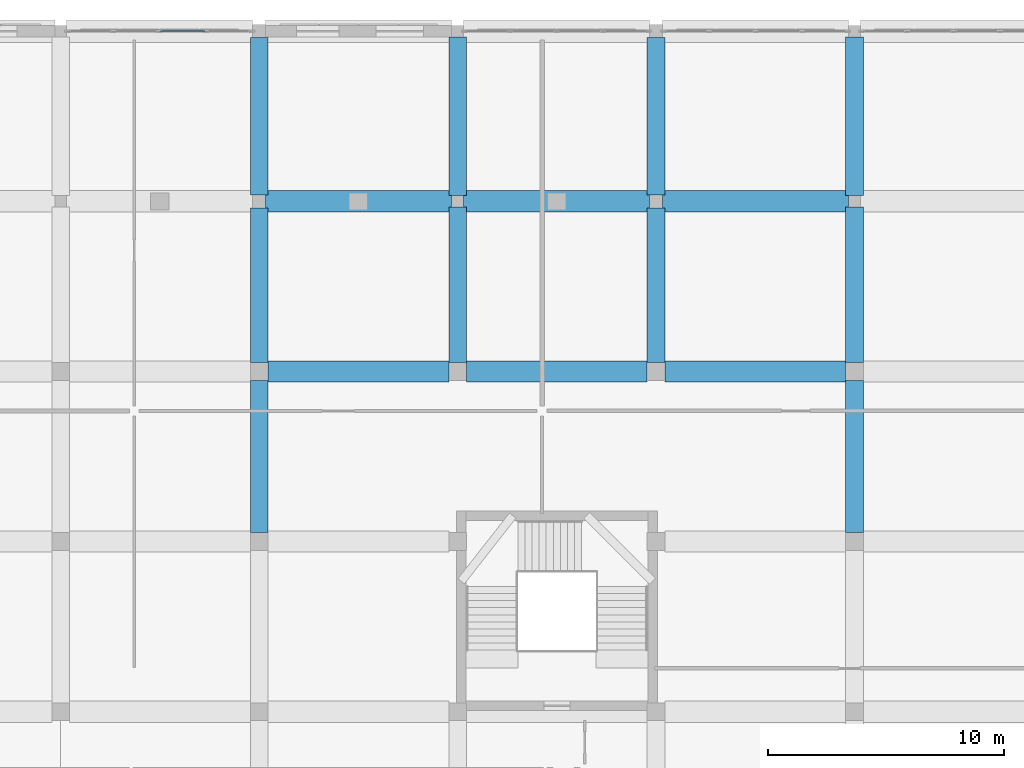
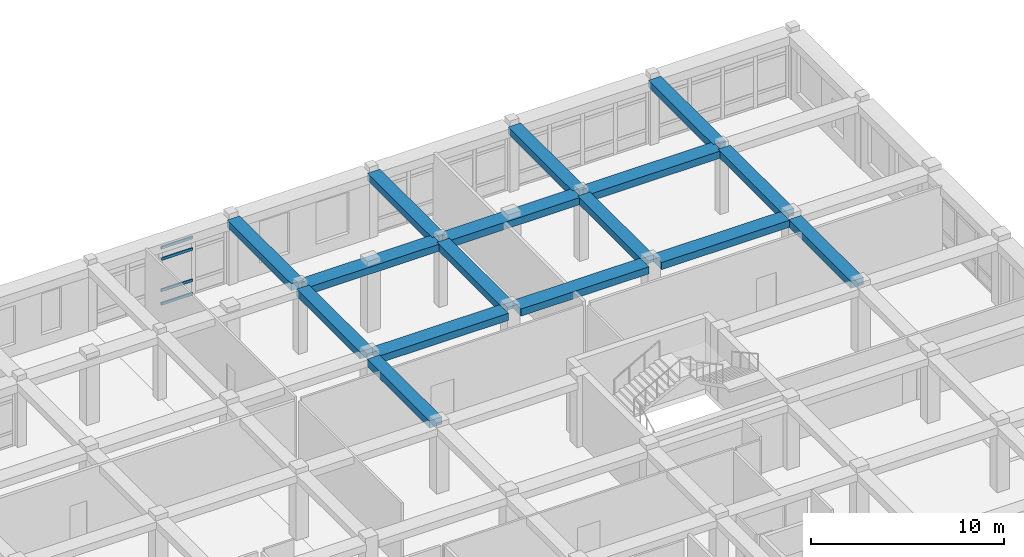
# One storey, part 48 of 121: 16 beams, 4 members, 1 element without a shape of its own.
"""IFC4 building model written with IfcOpenShell, lengths in metres."""

from ifc_helpers import new_model, si_unit, derived_unit, direction, frame, origin, origin_2d, place, context, subcontext, project, spatial, rectangle, hollow_rectangle, extrude, material, material_profile, profile_set, type_object, element, aggregate, save


model = new_model("IFC4")

# Units and contexts
model_context = context("Model", 3, precision=1e-05, world=origin(), true_north=direction((0.0, 1.0)))
body_context = subcontext(model_context, "Body", "Model", "MODEL_VIEW")
ifc_project = project(units=[si_unit("LENGTHUNIT", "METRE"), si_unit("AREAUNIT", "SQUARE_METRE"), si_unit("VOLUMEUNIT", "CUBIC_METRE"), si_unit("PLANEANGLEUNIT", "RADIAN"), si_unit("MASSUNIT", "GRAM", prefix="KILO"), derived_unit("THERMALTRANSMITTANCEUNIT", [(si_unit("POWERUNIT", "WATT"), 1), (si_unit("LENGTHUNIT", "METRE"), -2), (si_unit("THERMODYNAMICTEMPERATUREUNIT", "KELVIN"), -1)])], contexts=[model_context])

# Site, building, storey
site_placement = place(None, origin())
site = spatial("IfcSite", under=ifc_project, at=site_placement, CompositionType="ELEMENT")
building_placement = place(site_placement, origin())
building = spatial("IfcBuilding", under=site, at=building_placement, Name="Veybourne Emporium", CompositionType="ELEMENT")
storey_placement = place(building_placement, frame((0.0, 0.0, 5.39990234375)))
storey = spatial("IfcBuildingStorey", under=building, at=storey_placement, Name="L01", CompositionType="ELEMENT", Elevation=5.39990234375)

# Curtain wall, members
ifc_material_1 = material(Name="Patinated Architectural Bronze", Category="bronze")
curtain_wall_type = type_object("IfcCurtainWallType", Name="CWSystem_CWS-11", PredefinedType="NOTDEFINED", material=ifc_material_1)
curtain_wall_placement = place(storey_placement, origin())
curtain_wall = element("IfcCurtainWall", 1, at=curtain_wall_placement, inside=storey, type_object=curtain_wall_type, Name="L01 bronze glazed curtain wall CWS-11 (036)", PredefinedType="NOTDEFINED")
ifc_material_profile_1 = material_profile(ifc_material_1, hollow_rectangle(XDim=0.077880859375, YDim=0.18505859375, WallThickness=0.0048828125, InnerFilletRadius=0.007568359375, OuterFilletRadius=0.012451171875, at=origin_2d()), Name="CWT 78x185x5")
ifc_profile_set_1 = profile_set([ifc_material_profile_1], Name="Patinated Architectural Bronze")
member_type = type_object("IfcMemberType", Name="CWTransom_CW-T3", PredefinedType="NOTDEFINED", material=ifc_profile_set_1)
member_1_placement = place(storey_placement, frame((63.026611328125, 115.199951171875, 0.0390625), z_axis=(1.0, 0.0, 0.0), x_axis=(0.0, 1.0, 0.0)))
member_1 = element("IfcMember", 2, at=member_1_placement, type_object=member_type, Name="CWS-11 transom 3.1", ObjectType="TRANSOM", PredefinedType="USERDEFINED", context=body_context, shape_type="SweptSolid", body=[
    extrude(hollow_rectangle(XDim=0.077880859375, YDim=0.18505859375, WallThickness=0.0048828125, InnerFilletRadius=0.007568359375, OuterFilletRadius=0.012451171875, at=origin_2d()), origin(), (0.0, 0.0, 1.0), 1.890625),
])
member_2_placement = place(storey_placement, frame((63.026611328125, 115.199951171875, 0.900146484375), z_axis=(1.0, 0.0, 0.0), x_axis=(0.0, 1.0, 0.0)))
member_2 = element("IfcMember", 3, at=member_2_placement, type_object=member_type, Name="CWS-11 transom 3.2", ObjectType="TRANSOM", PredefinedType="USERDEFINED", context=body_context, shape_type="SweptSolid", body=[
    extrude(hollow_rectangle(XDim=0.077880859375, YDim=0.18505859375, WallThickness=0.0048828125, InnerFilletRadius=0.007568359375, OuterFilletRadius=0.012451171875, at=origin_2d()), origin(), (0.0, 0.0, 1.0), 1.890625),
])
member_3_placement = place(storey_placement, frame((63.026611328125, 115.199951171875, 2.880126953125), z_axis=(1.0, 0.0, 0.0), x_axis=(0.0, 1.0, 0.0)))
member_3 = element("IfcMember", 4, at=member_3_placement, type_object=member_type, Name="CWS-11 transom 3.3", ObjectType="TRANSOM", PredefinedType="USERDEFINED", context=body_context, shape_type="SweptSolid", body=[
    extrude(hollow_rectangle(XDim=0.077880859375, YDim=0.18505859375, WallThickness=0.0048828125, InnerFilletRadius=0.007568359375, OuterFilletRadius=0.012451171875, at=origin_2d()), origin(), (0.0, 0.0, 1.0), 1.890625),
])
member_4_placement = place(storey_placement, frame((63.026611328125, 115.199951171875, 3.591064453125), z_axis=(1.0, 0.0, 0.0), x_axis=(0.0, 1.0, 0.0)))
member_4 = element("IfcMember", 5, at=member_4_placement, type_object=member_type, Name="CWS-11 transom 3.4", ObjectType="TRANSOM", PredefinedType="USERDEFINED", context=body_context, shape_type="SweptSolid", body=[
    extrude(hollow_rectangle(XDim=0.077880859375, YDim=0.18505859375, WallThickness=0.0048828125, InnerFilletRadius=0.007568359375, OuterFilletRadius=0.012451171875, at=origin_2d()), origin(), (0.0, 0.0, 1.0), 1.890625),
])
aggregate(curtain_wall, [member_1, member_2, member_3, member_4])

# Beams
ifc_material_2 = material(Name="Concrete C32/40", Category="concrete")
ifc_material_profile_2 = material_profile(ifc_material_2, rectangle(XDim=0.89990234375, YDim=0.449951171875, at=origin_2d()), Name="RC 900x450")
ifc_profile_set_2 = profile_set([ifc_material_profile_2], Name="Concrete C32/40")
beam_type_1 = type_object("IfcBeamType", Name="RCBeam_BB-03", PredefinedType="BEAM", material=ifc_profile_set_2)
beam_1_placement = place(storey_placement, frame((67.574951171875, 100.800048828125, 3.955078125), z_axis=(1.0, 0.0, 0.0), x_axis=(0.0, 1.0, 0.0)))
element("IfcBeam", 6, at=beam_1_placement, inside=storey, type_object=beam_type_1, Name="L01 X-grid beam BB-03 (8,14)", PredefinedType="BEAM", context=body_context, shape_type="SweptSolid", body=[
    extrude(rectangle(XDim=0.89990234375, YDim=0.449951171875, at=origin_2d()), origin(), (0.0, 0.0, 1.0), 7.650146484375),
])
beam_2_placement = place(storey_placement, frame((67.47509765625, 108.0, 3.955078125), z_axis=(1.0, 0.0, 0.0), x_axis=(0.0, 1.0, 0.0)))
element("IfcBeam", 7, at=beam_2_placement, inside=storey, type_object=beam_type_1, Name="L01 X-grid beam BB-03 (8,15)", PredefinedType="BEAM", context=body_context, shape_type="SweptSolid", body=[
    extrude(rectangle(XDim=0.89990234375, YDim=0.449951171875, at=origin_2d()), origin(), (0.0, 0.0, 1.0), 7.875),
])
beam_3_placement = place(storey_placement, frame((75.97509765625, 100.800048828125, 3.955078125), z_axis=(1.0, 0.0, 0.0), x_axis=(0.0, 1.0, 0.0)))
element("IfcBeam", 8, at=beam_3_placement, inside=storey, type_object=beam_type_1, Name="L01 X-grid beam BB-03 (9,14)", PredefinedType="BEAM", context=body_context, shape_type="SweptSolid", body=[
    extrude(rectangle(XDim=0.89990234375, YDim=0.449951171875, at=origin_2d()), origin(), (0.0, 0.0, 1.0), 7.64990234375),
])
beam_4_placement = place(storey_placement, frame((75.85009765625, 108.0, 3.955078125), z_axis=(1.0, 0.0, 0.0), x_axis=(0.0, 1.0, 0.0)))
element("IfcBeam", 9, at=beam_4_placement, inside=storey, type_object=beam_type_1, Name="L01 X-grid beam BB-03 (9,15)", PredefinedType="BEAM", context=body_context, shape_type="SweptSolid", body=[
    extrude(rectangle(XDim=0.89990234375, YDim=0.449951171875, at=origin_2d()), origin(), (0.0, 0.0, 1.0), 7.875),
])
beam_5_placement = place(storey_placement, frame((84.375, 100.800048828125, 3.955078125), z_axis=(1.0, 0.0, 0.0), x_axis=(0.0, 1.0, 0.0)))
element("IfcBeam", 10, at=beam_5_placement, inside=storey, type_object=beam_type_1, Name="L01 X-grid beam BB-03 (10,14)", PredefinedType="BEAM", context=body_context, shape_type="SweptSolid", body=[
    extrude(rectangle(XDim=0.89990234375, YDim=0.449951171875, at=origin_2d()), origin(), (0.0, 0.0, 1.0), 7.64990234375),
])
beam_6_placement = place(storey_placement, frame((84.27490234375, 108.0, 3.955078125), z_axis=(1.0, 0.0, 0.0), x_axis=(0.0, 1.0, 0.0)))
element("IfcBeam", 11, at=beam_6_placement, inside=storey, type_object=beam_type_1, Name="L01 X-grid beam BB-03 (10,15)", PredefinedType="BEAM", context=body_context, shape_type="SweptSolid", body=[
    extrude(rectangle(XDim=0.89990234375, YDim=0.449951171875, at=origin_2d()), origin(), (0.0, 0.0, 1.0), 7.875),
])
ifc_material_profile_3 = material_profile(ifc_material_2, rectangle(XDim=0.75, YDim=0.449951171875, at=origin_2d()), Name="RC 750x450")
ifc_profile_set_3 = profile_set([ifc_material_profile_3], Name="Concrete C32/40")
beam_type_2 = type_object("IfcBeamType", Name="RCBeam_BB-04", PredefinedType="BEAM", material=ifc_profile_set_3)
beam_7_placement = place(storey_placement, frame((67.199951171875, 93.97509765625, 3.955078125), z_axis=(0.0, 1.0, 0.0), x_axis=(-1.0, 0.0, 0.0)))
element("IfcBeam", 12, at=beam_7_placement, inside=storey, type_object=beam_type_2, Name="L01 Y-grid beam BB-04 (8,13)", PredefinedType="BEAM", context=body_context, shape_type="SweptSolid", body=[
    extrude(rectangle(XDim=0.75, YDim=0.449951171875, at=origin_2d()), origin(), (0.0, 0.0, 1.0), 6.449951171875),
])
beam_8_placement = place(storey_placement, frame((67.199951171875, 101.175048828125, 3.955078125), z_axis=(0.0, 1.0, 0.0), x_axis=(-1.0, 0.0, 0.0)))
element("IfcBeam", 13, at=beam_8_placement, inside=storey, type_object=beam_type_2, Name="L01 Y-grid beam BB-04 (8,14)", PredefinedType="BEAM", context=body_context, shape_type="SweptSolid", body=[
    extrude(rectangle(XDim=0.75, YDim=0.449951171875, at=origin_2d()), origin(), (0.0, 0.0, 1.0), 6.550048828125),
])
beam_9_placement = place(storey_placement, frame((67.199951171875, 108.27490234375, 3.955078125), z_axis=(0.0, 1.0, 0.0), x_axis=(-1.0, 0.0, 0.0)))
element("IfcBeam", 14, at=beam_9_placement, inside=storey, type_object=beam_type_2, Name="L01 Y-grid beam BB-04 (8,15)", PredefinedType="BEAM", context=body_context, shape_type="SweptSolid", body=[
    extrude(rectangle(XDim=0.75, YDim=0.449951171875, at=origin_2d()), origin(), (0.0, 0.0, 1.0), 6.650146484375),
])
beam_10_placement = place(storey_placement, frame((75.60009765625, 101.175048828125, 3.955078125), z_axis=(0.0, 1.0, 0.0), x_axis=(-1.0, 0.0, 0.0)))
element("IfcBeam", 15, at=beam_10_placement, inside=storey, type_object=beam_type_2, Name="L01 Y-grid beam BB-04 (9,14)", PredefinedType="BEAM", context=body_context, shape_type="SweptSolid", body=[
    extrude(rectangle(XDim=0.75, YDim=0.449951171875, at=origin_2d()), origin(), (0.0, 0.0, 1.0), 6.574951171875),
])
beam_11_placement = place(storey_placement, frame((75.60009765625, 108.25, 3.955078125), z_axis=(0.0, 1.0, 0.0), x_axis=(-1.0, 0.0, 0.0)))
element("IfcBeam", 16, at=beam_11_placement, inside=storey, type_object=beam_type_2, Name="L01 Y-grid beam BB-04 (9,15)", PredefinedType="BEAM", context=body_context, shape_type="SweptSolid", body=[
    extrude(rectangle(XDim=0.75, YDim=0.449951171875, at=origin_2d()), origin(), (0.0, 0.0, 1.0), 6.699951171875),
])
beam_12_placement = place(storey_placement, frame((84.0, 101.175048828125, 3.955078125), z_axis=(0.0, 1.0, 0.0), x_axis=(-1.0, 0.0, 0.0)))
element("IfcBeam", 17, at=beam_12_placement, inside=storey, type_object=beam_type_2, Name="L01 Y-grid beam BB-04 (10,14)", PredefinedType="BEAM", context=body_context, shape_type="SweptSolid", body=[
    extrude(rectangle(XDim=0.75, YDim=0.449951171875, at=origin_2d()), origin(), (0.0, 0.0, 1.0), 6.550048828125),
])
beam_13_placement = place(storey_placement, frame((84.0, 108.27490234375, 3.955078125), z_axis=(0.0, 1.0, 0.0), x_axis=(-1.0, 0.0, 0.0)))
element("IfcBeam", 18, at=beam_13_placement, inside=storey, type_object=beam_type_2, Name="L01 Y-grid beam BB-04 (10,15)", PredefinedType="BEAM", context=body_context, shape_type="SweptSolid", body=[
    extrude(rectangle(XDim=0.75, YDim=0.449951171875, at=origin_2d()), origin(), (0.0, 0.0, 1.0), 6.650146484375),
])
beam_14_placement = place(storey_placement, frame((92.39990234375, 93.97509765625, 3.955078125), z_axis=(0.0, 1.0, 0.0), x_axis=(-1.0, 0.0, 0.0)))
element("IfcBeam", 19, at=beam_14_placement, inside=storey, type_object=beam_type_2, Name="L01 Y-grid beam BB-04 (11,13)", PredefinedType="BEAM", context=body_context, shape_type="SweptSolid", body=[
    extrude(rectangle(XDim=0.75, YDim=0.449951171875, at=origin_2d()), origin(), (0.0, 0.0, 1.0), 6.449951171875),
])
beam_15_placement = place(storey_placement, frame((92.39990234375, 101.175048828125, 3.955078125), z_axis=(0.0, 1.0, 0.0), x_axis=(-1.0, 0.0, 0.0)))
element("IfcBeam", 20, at=beam_15_placement, inside=storey, type_object=beam_type_2, Name="L01 Y-grid beam BB-04 (11,14)", PredefinedType="BEAM", context=body_context, shape_type="SweptSolid", body=[
    extrude(rectangle(XDim=0.75, YDim=0.449951171875, at=origin_2d()), origin(), (0.0, 0.0, 1.0), 6.574951171875),
])
beam_16_placement = place(storey_placement, frame((92.39990234375, 108.25, 3.955078125), z_axis=(0.0, 1.0, 0.0), x_axis=(-1.0, 0.0, 0.0)))
element("IfcBeam", 21, at=beam_16_placement, inside=storey, type_object=beam_type_2, Name="L01 Y-grid beam BB-04 (11,15)", PredefinedType="BEAM", context=body_context, shape_type="SweptSolid", body=[
    extrude(rectangle(XDim=0.75, YDim=0.449951171875, at=origin_2d()), origin(), (0.0, 0.0, 1.0), 6.699951171875),
])

save(model, "model.ifc")
